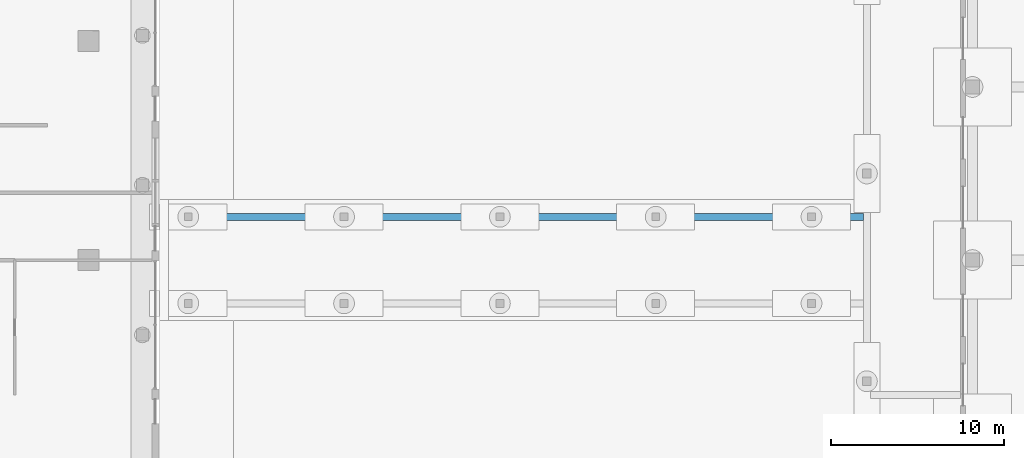
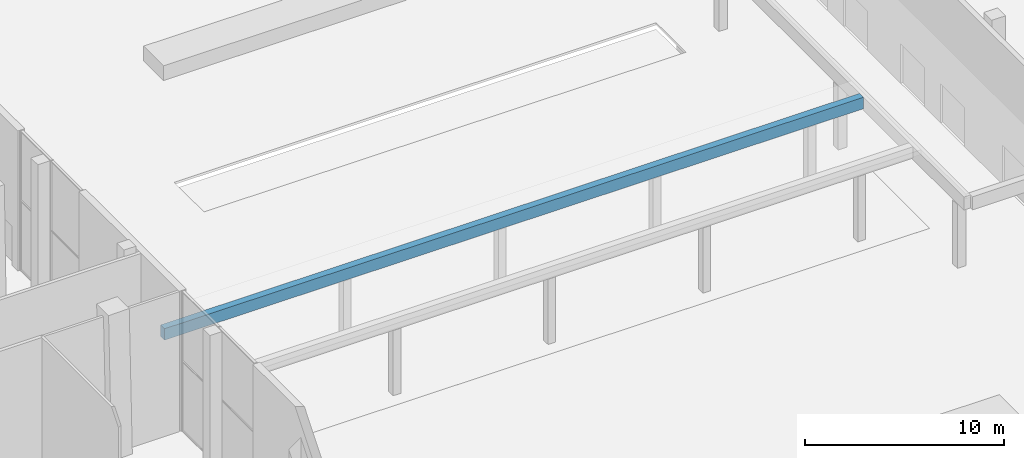
# One storey, part 16 of 63: 1 beam.
"""IFC4 building model written with IfcOpenShell, lengths in metres."""

from ifc_helpers import new_model, si_unit, direction, frame, origin, origin_2d, place, context, subcontext, project, spatial, rectangle, extrude, material, material_profile, profile_set, type_object, element, save


model = new_model("IFC4")

# Units and contexts
model_context = context("Model", 3, precision=1e-05, world=origin(), true_north=direction((0.0, 1.0)))
body_context = subcontext(model_context, "Body", "Model", "MODEL_VIEW")
ifc_project = project(units=[si_unit("LENGTHUNIT", "METRE"), si_unit("AREAUNIT", "SQUARE_METRE"), si_unit("VOLUMEUNIT", "CUBIC_METRE"), si_unit("PLANEANGLEUNIT", "RADIAN"), si_unit("MASSUNIT", "GRAM", prefix="KILO")], contexts=[model_context])

# Site, building, storey
site_placement = place(None, origin())
site = spatial("IfcSite", under=ifc_project, at=site_placement, CompositionType="ELEMENT")
building_placement = place(site_placement, origin())
building = spatial("IfcBuilding", under=site, at=building_placement, Name="Jabali Bay Hotel Tower and Convention Centre", CompositionType="ELEMENT")
storey_placement = place(building_placement, origin())
storey = spatial("IfcBuildingStorey", under=building, at=storey_placement, Name="L00", CompositionType="ELEMENT", Elevation=0.0)

# Beam
ifc_material = material(Name="Concrete C40", Category="concrete")
ifc_material_profile = material_profile(ifc_material, rectangle(XDim=0.39990234375, YDim=0.699951171875, at=origin_2d()), Name="RC 400x700")
ifc_profile_set = profile_set([ifc_material_profile], Name="Concrete C40")
beam_type = type_object("IfcBeamType", Name="SI Colonnade Beam 400x700", PredefinedType="BEAM", material=ifc_profile_set)
beam_placement = place(storey_placement, frame((103.800048828125, 82.5, 4.35009765625), z_axis=(1.0, 0.0, 0.0), x_axis=(0.0, 1.0, 0.0)))
element("IfcBeam", 1, at=beam_placement, inside=storey, type_object=beam_type, Name="SI colonnade beam 2", PredefinedType="BEAM", context=body_context, shape_type="SweptSolid", body=[
    extrude(rectangle(XDim=0.39990234375, YDim=0.699951171875, at=origin_2d()), origin(), (0.0, 0.0, 1.0), 40.599853515625),
])

save(model, "model.ifc")
